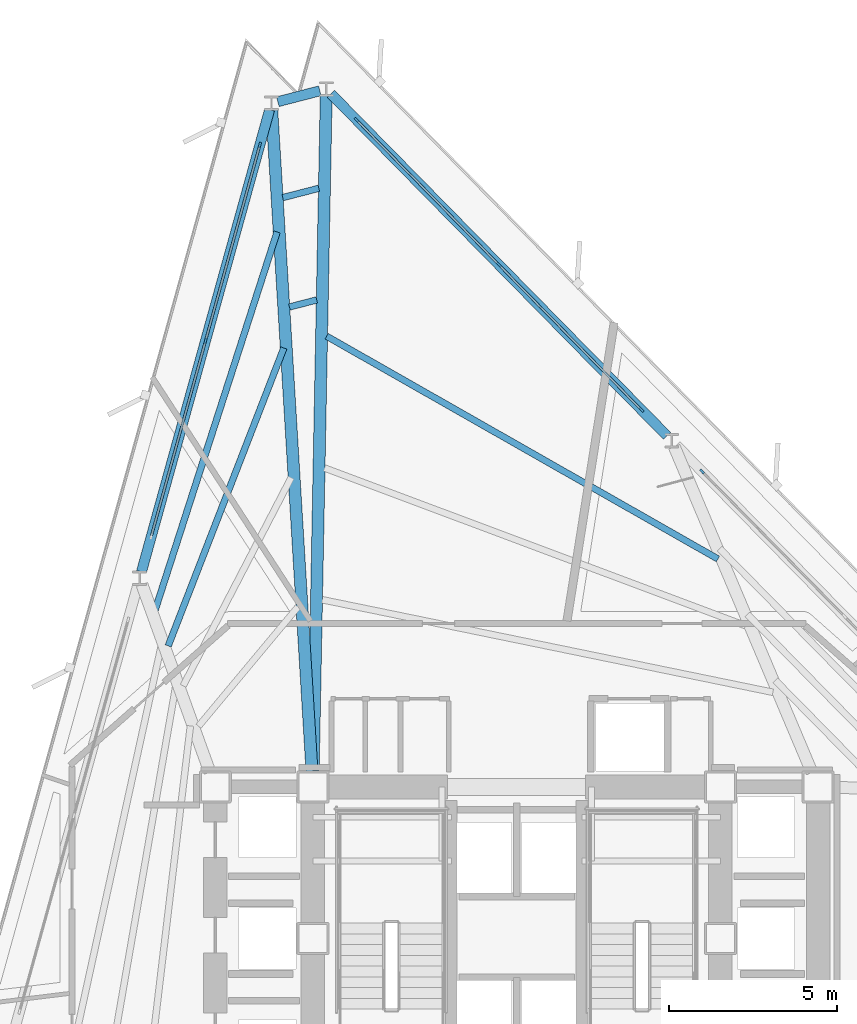
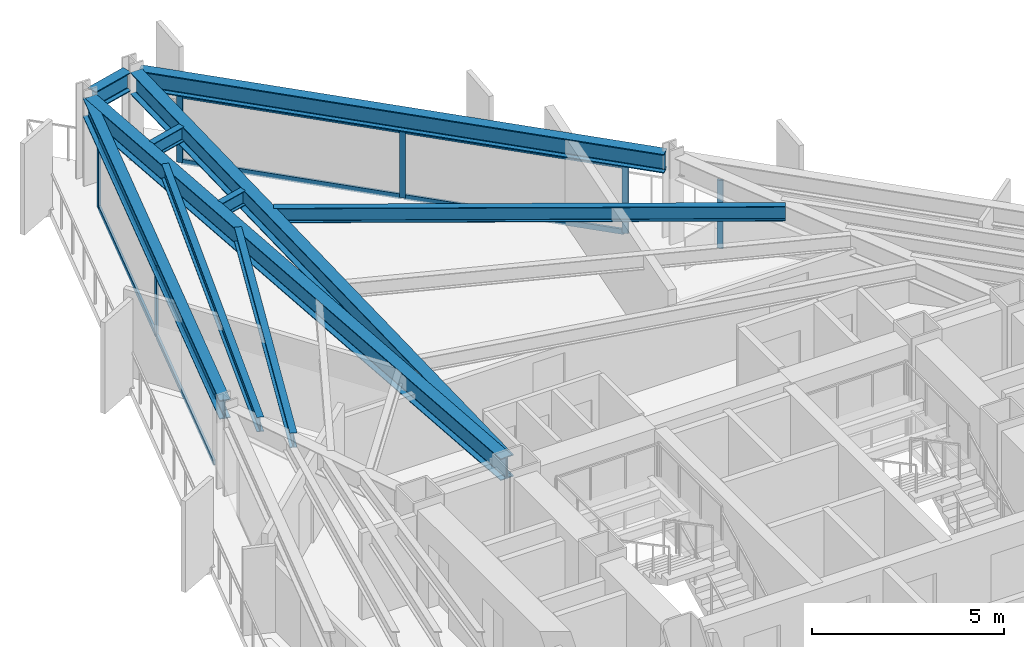
# One storey, part 5 of 11: 14 members, 10 beams, 3 elements without a shape of their own.
"""IFC4 building model written with IfcOpenShell, lengths in metres."""

from ifc_helpers import new_model, si_unit, direction, frame, origin, origin_2d, place, context, subcontext, project, spatial, rectangle, i_section, extrude, material, layer, layer_set, material_profile, profile_set, type_object, element, aggregate, save


model = new_model("IFC4")

# Units and contexts
model_context = context("Model", 3, precision=1e-05, world=origin(), true_north=direction((0.0, 1.0)))
body_context = subcontext(model_context, "Body", "Model", "MODEL_VIEW")
ifc_project = project(units=[si_unit("LENGTHUNIT", "METRE"), si_unit("AREAUNIT", "SQUARE_METRE"), si_unit("VOLUMEUNIT", "CUBIC_METRE"), si_unit("PLANEANGLEUNIT", "RADIAN"), si_unit("MASSUNIT", "GRAM", prefix="KILO")], contexts=[model_context])

# Site, building, storey
site_placement = place(None, origin())
site = spatial("IfcSite", under=ifc_project, at=site_placement, CompositionType="ELEMENT")
building_placement = place(site_placement, origin())
building = spatial("IfcBuilding", under=site, at=building_placement, Name="Rocaltana Carrier Exchange", CompositionType="ELEMENT")
storey_placement = place(building_placement, frame((0.0, 0.0, 91.679931640625)))
storey = spatial("IfcBuildingStorey", under=building, at=storey_placement, Name="L28", CompositionType="ELEMENT", Elevation=91.679931640625)

# Curtain wall, member
ifc_material_1 = material(Name="Aluminium 6063-T6", Category="aluminium")
ifc_layer = layer(ifc_material_1, 0.1650390625)
ifc_layer_set = layer_set([ifc_layer], Name="Aluminium 6063-T6")
curtain_wall_type = type_object("IfcCurtainWallType", Name="Lower-Mid Stepped Curtain Wall CW-02", PredefinedType="NOTDEFINED", material=ifc_layer_set)
curtain_wall_1_placement = place(storey_placement, origin())
curtain_wall_1 = element("IfcCurtainWall", 1, at=curtain_wall_1_placement, inside=storey, type_object=curtain_wall_type, Name="L28 CW-02 Run CW-L28-F1S2", PredefinedType="NOTDEFINED")
ifc_material_2 = material(Name="Aluminium 6063-T6", Category="aluminium")
ifc_material_profile_1 = material_profile(ifc_material_2, rectangle(XDim=0.06494140625, YDim=0.1650390625, at=origin_2d()), Name="AL-65X165")
ifc_profile_set_1 = profile_set([ifc_material_profile_1], Name="Aluminium 6063-T6")
member_type_1 = type_object("IfcMemberType", Name="CW-02 Mullion AL-65X165", PredefinedType="MULLION", material=ifc_profile_set_1)
member_1_placement = place(storey_placement, frame((5.503173828125, 13.8681640625, 0.0), z_axis=(0.0, 0.0, 1.0), x_axis=(-0.713244696676, -0.700915118017, 0.0)))
member_1 = element("IfcMember", 2, at=member_1_placement, type_object=member_type_1, Name="CW-02 mullion 3", PredefinedType="MULLION", context=body_context, shape_type="SweptSolid", body=[
    extrude(rectangle(XDim=0.06494140625, YDim=0.1650390625, at=origin_2d()), origin(), (0.0, 0.0, 1.0), 2.16796875),
])
aggregate(curtain_wall_1, [member_1])

# Curtain wall, members
curtain_wall_2_placement = place(storey_placement, origin())
curtain_wall_2 = element("IfcCurtainWall", 3, at=curtain_wall_2_placement, inside=storey, type_object=curtain_wall_type, Name="L28 CW-02 Run CW-L28-F1S3", PredefinedType="NOTDEFINED")
member_2_placement = place(storey_placement, frame((3.70556640625, 15.69775390625, 0.0), z_axis=(0.0, 0.0, 1.0), x_axis=(-0.713244767898, -0.700915045542, 0.0)))
member_2 = element("IfcMember", 4, at=member_2_placement, type_object=member_type_1, Name="CW-02 mullion 1", PredefinedType="MULLION", context=body_context, shape_type="SweptSolid", body=[
    extrude(rectangle(XDim=0.06494140625, YDim=0.1650390625, at=origin_2d()), origin(), (0.0, 0.0, 1.0), 2.16796875),
])
member_3_placement = place(storey_placement, frame((-0.52392578125, 20.001708984375, 0.0), z_axis=(0.0, 0.0, 1.0), x_axis=(-0.713244767898, -0.700915045542, 0.0)))
member_3 = element("IfcMember", 5, at=member_3_placement, type_object=member_type_1, Name="CW-02 mullion 2", PredefinedType="MULLION", context=body_context, shape_type="SweptSolid", body=[
    extrude(rectangle(XDim=0.06494140625, YDim=0.1650390625, at=origin_2d()), origin(), (0.0, 0.0, 1.0), 2.16796875),
])
member_4_placement = place(storey_placement, frame((-4.75341796875, 24.305419921875, 0.0), z_axis=(0.0, 0.0, 1.0), x_axis=(-0.713244767898, -0.700915045542, 0.0)))
member_4 = element("IfcMember", 6, at=member_4_placement, type_object=member_type_1, Name="CW-02 mullion 3", PredefinedType="MULLION", context=body_context, shape_type="SweptSolid", body=[
    extrude(rectangle(XDim=0.06494140625, YDim=0.1650390625, at=origin_2d()), origin(), (0.0, 0.0, 1.0), 2.16796875),
])

curtain_wall_3_placement = place(storey_placement, origin())
curtain_wall_3 = element("IfcCurtainWall", 7, at=curtain_wall_3_placement, inside=storey, type_object=curtain_wall_type, Name="L28 CW-02 Run CW-L28-F2S1", PredefinedType="NOTDEFINED")
member_5_placement = place(storey_placement, frame((-7.626220703125, 23.5625, 0.0), z_axis=(0.0, 0.0, 1.0), x_axis=(0.96362846453, -0.267245546918, 0.0)))
member_5 = element("IfcMember", 8, at=member_5_placement, type_object=member_type_1, Name="CW-02 mullion 1", PredefinedType="MULLION", context=body_context, shape_type="SweptSolid", body=[
    extrude(rectangle(XDim=0.06494140625, YDim=0.1650390625, at=origin_2d()), origin(), (0.0, 0.0, 1.0), 2.16796875),
])
member_6_placement = place(storey_placement, frame((-9.23876953125, 17.747802734375, 0.0), z_axis=(0.0, 0.0, 1.0), x_axis=(0.96362846453, -0.267245546918, 0.0)))
member_6 = element("IfcMember", 9, at=member_6_placement, type_object=member_type_1, Name="CW-02 mullion 2", PredefinedType="MULLION", context=body_context, shape_type="SweptSolid", body=[
    extrude(rectangle(XDim=0.06494140625, YDim=0.1650390625, at=origin_2d()), origin(), (0.0, 0.0, 1.0), 2.16796875),
])

# Member
ifc_material_3 = material(Name="Aluminium 6063-T6", Category="aluminium")
ifc_material_profile_2 = material_profile(ifc_material_3, rectangle(XDim=0.06494140625, YDim=0.1650390625, at=origin_2d()), Name="AL-65X165")
ifc_profile_set_2 = profile_set([ifc_material_profile_2], Name="Aluminium 6063-T6")
member_type_2 = type_object("IfcMemberType", Name="CW-02 Transom AL-65X165", PredefinedType="USERDEFINED", material=ifc_profile_set_2)
member_7_placement = place(storey_placement, frame((3.682861328125, 15.720947265625, 0.032470703125), z_axis=(-0.700924711343, 0.713235269058, 0.0), x_axis=(-0.713235269058, -0.700924711343, 0.0)))
member_7 = element("IfcMember", 10, at=member_7_placement, type_object=member_type_2, Name="CW-02 transom 1.1", ObjectType="TRANSOM", PredefinedType="USERDEFINED", context=body_context, shape_type="SweptSolid", body=[
    extrude(rectangle(XDim=0.06494140625, YDim=0.1650390625, at=origin_2d()), origin(), (0.0, 0.0, 1.0), 5.969482421875),
])

member_8_placement = place(storey_placement, frame((3.682861328125, 15.720947265625, 2.135498046875), z_axis=(-0.700924711343, 0.713235269058, 0.0), x_axis=(-0.713235269058, -0.700924711343, 0.0)))
member_8 = element("IfcMember", 11, at=member_8_placement, type_object=member_type_2, Name="CW-02 transom 1.2", ObjectType="TRANSOM", PredefinedType="USERDEFINED", context=body_context, shape_type="SweptSolid", body=[
    extrude(rectangle(XDim=0.06494140625, YDim=0.1650390625, at=origin_2d()), origin(), (0.0, 0.0, 1.0), 5.969482421875),
])

member_9_placement = place(storey_placement, frame((-0.546630859375, 20.02490234375, 0.032470703125), z_axis=(-0.700924352217, 0.713235621985, 0.0), x_axis=(-0.713235621985, -0.700924352217, 0.0)))
member_9 = element("IfcMember", 12, at=member_9_placement, type_object=member_type_2, Name="CW-02 transom 2.1", ObjectType="TRANSOM", PredefinedType="USERDEFINED", context=body_context, shape_type="SweptSolid", body=[
    extrude(rectangle(XDim=0.06494140625, YDim=0.1650390625, at=origin_2d()), origin(), (0.0, 0.0, 1.0), 5.968994140625),
])

member_10_placement = place(storey_placement, frame((-0.546630859375, 20.02490234375, 2.135498046875), z_axis=(-0.700924352217, 0.713235621985, 0.0), x_axis=(-0.713235621985, -0.700924352217, 0.0)))
member_10 = element("IfcMember", 13, at=member_10_placement, type_object=member_type_2, Name="CW-02 transom 2.2", ObjectType="TRANSOM", PredefinedType="USERDEFINED", context=body_context, shape_type="SweptSolid", body=[
    extrude(rectangle(XDim=0.06494140625, YDim=0.1650390625, at=origin_2d()), origin(), (0.0, 0.0, 1.0), 5.968994140625),
])

aggregate(curtain_wall_2, [member_2, member_3, member_4, member_7, member_8, member_9, member_10])

member_11_placement = place(storey_placement, frame((-7.634765625, 23.53125, 0.032470703125), z_axis=(-0.267274698809, -0.963620379287, 0.0), x_axis=(0.963620379287, -0.267274698809, 0.0)))
member_11 = element("IfcMember", 14, at=member_11_placement, type_object=member_type_2, Name="CW-02 transom 1.1", ObjectType="TRANSOM", PredefinedType="USERDEFINED", context=body_context, shape_type="SweptSolid", body=[
    extrude(rectangle(XDim=0.06494140625, YDim=0.1650390625, at=origin_2d()), origin(), (0.0, 0.0, 1.0), 5.96923828125),
])

member_12_placement = place(storey_placement, frame((-7.634765625, 23.53125, 2.135498046875), z_axis=(-0.267274698809, -0.963620379287, 0.0), x_axis=(0.963620379287, -0.267274698809, 0.0)))
member_12 = element("IfcMember", 15, at=member_12_placement, type_object=member_type_2, Name="CW-02 transom 1.2", ObjectType="TRANSOM", PredefinedType="USERDEFINED", context=body_context, shape_type="SweptSolid", body=[
    extrude(rectangle(XDim=0.06494140625, YDim=0.1650390625, at=origin_2d()), origin(), (0.0, 0.0, 1.0), 5.96923828125),
])

member_13_placement = place(storey_placement, frame((-9.24755859375, 17.716552734375, 0.032470703125), z_axis=(-0.267236720875, -0.963630912235, 0.0), x_axis=(0.963630912235, -0.267236720875, 0.0)))
member_13 = element("IfcMember", 16, at=member_13_placement, type_object=member_type_2, Name="CW-02 transom 2.1", ObjectType="TRANSOM", PredefinedType="USERDEFINED", context=body_context, shape_type="SweptSolid", body=[
    extrude(rectangle(XDim=0.06494140625, YDim=0.1650390625, at=origin_2d()), origin(), (0.0, 0.0, 1.0), 5.96923828125),
])

member_14_placement = place(storey_placement, frame((-9.24755859375, 17.716552734375, 2.135498046875), z_axis=(-0.267236720875, -0.963630912235, 0.0), x_axis=(0.963630912235, -0.267236720875, 0.0)))
member_14 = element("IfcMember", 17, at=member_14_placement, type_object=member_type_2, Name="CW-02 transom 2.2", ObjectType="TRANSOM", PredefinedType="USERDEFINED", context=body_context, shape_type="SweptSolid", body=[
    extrude(rectangle(XDim=0.06494140625, YDim=0.1650390625, at=origin_2d()), origin(), (0.0, 0.0, 1.0), 5.96923828125),
])

aggregate(curtain_wall_3, [member_5, member_6, member_11, member_12, member_13, member_14])

# Beams
ifc_material_4 = material(Name="Steel S355", Category="steel")
ifc_material_profile_3 = material_profile(ifc_material_4, i_section(OverallWidth=0.193115234375, OverallDepth=0.466064453125, WebThickness=0.011474609375, FlangeThickness=0.01904296875, FilletRadius=0.013916015625, at=origin_2d()), Name="W18X65")
ifc_profile_set_3 = profile_set([ifc_material_profile_3], Name="Steel S355")
beam_type_1 = type_object("IfcBeamType", Name="Floor Joist W18X65", PredefinedType="JOIST", material=ifc_profile_set_3)
beam_1_placement = place(storey_placement, frame((5.976318359375, 11.268798828125, 2.55517578125), z_axis=(-0.869038762024, 0.494744004613, 0.0), x_axis=(-0.494744004613, -0.869038762024, 0.0)))
element("IfcBeam", 18, at=beam_1_placement, inside=storey, type_object=beam_type_1, Name="FJ-L28-03-3", PredefinedType="JOIST", context=body_context, shape_type="SweptSolid", body=[
    extrude(i_section(OverallWidth=0.193115234375, OverallDepth=0.466064453125, WebThickness=0.011474609375, FlangeThickness=0.01904296875, FilletRadius=0.013916015625, at=origin_2d()), origin(), (0.0, 0.0, 1.0), 13.36962890625),
])
beam_2_placement = place(storey_placement, frame((-5.9375, 18.961181640625, 2.55517578125), z_axis=(-0.968135931974, -0.250425272727, 0.0), x_axis=(0.250425272727, -0.968135931974, 0.0)))
element("IfcBeam", 19, at=beam_2_placement, inside=storey, type_object=beam_type_1, Name="FJ-L28-04-3", PredefinedType="JOIST", context=body_context, shape_type="SweptSolid", body=[
    extrude(i_section(OverallWidth=0.193115234375, OverallDepth=0.466064453125, WebThickness=0.011474609375, FlangeThickness=0.01904296875, FilletRadius=0.013916015625, at=origin_2d()), origin(), (0.0, 0.0, 1.0), 0.83642578125),
])
beam_3_placement = place(storey_placement, frame((-5.873779296875, 22.2763671875, 2.55517578125), z_axis=(-0.968177342662, -0.25026512573, 0.0), x_axis=(0.25026512573, -0.968177342662, 0.0)))
element("IfcBeam", 20, at=beam_3_placement, inside=storey, type_object=beam_type_1, Name="FJ-L28-04-4", PredefinedType="JOIST", context=body_context, shape_type="SweptSolid", body=[
    extrude(i_section(OverallWidth=0.193115234375, OverallDepth=0.466064453125, WebThickness=0.011474609375, FlangeThickness=0.01904296875, FilletRadius=0.013916015625, at=origin_2d()), origin(), (0.0, 0.0, 1.0), 1.106201171875),
])
beam_4_placement = place(storey_placement, frame((-6.913818359375, 17.533935546875, 2.55517578125), z_axis=(-0.361784373261, -0.93226180189, 0.0), x_axis=(0.93226180189, -0.361784373261, 0.0)))
element("IfcBeam", 21, at=beam_4_placement, inside=storey, type_object=beam_type_1, Name="FJ-L28-05-3", PredefinedType="JOIST", context=body_context, shape_type="SweptSolid", body=[
    extrude(i_section(OverallWidth=0.193115234375, OverallDepth=0.466064453125, WebThickness=0.011474609375, FlangeThickness=0.01904296875, FilletRadius=0.013916015625, at=origin_2d()), origin(), (0.0, 0.0, 1.0), 9.48876953125),
])
beam_5_placement = place(storey_placement, frame((-7.114013671875, 20.9814453125, 2.55517578125), z_axis=(-0.306913359242, -0.951737458504, 0.0), x_axis=(0.951737458504, -0.306913359242, 0.0)))
element("IfcBeam", 22, at=beam_5_placement, inside=storey, type_object=beam_type_1, Name="FJ-L28-05-4", PredefinedType="JOIST", context=body_context, shape_type="SweptSolid", body=[
    extrude(i_section(OverallWidth=0.193115234375, OverallDepth=0.466064453125, WebThickness=0.011474609375, FlangeThickness=0.01904296875, FilletRadius=0.013916015625, at=origin_2d()), origin(), (0.0, 0.0, 1.0), 11.806396484375),
])
ifc_material_5 = material(Name="Steel S355", Category="steel")
ifc_material_profile_4 = material_profile(ifc_material_5, i_section(OverallWidth=0.35498046875, OverallDepth=0.695068359375, WebThickness=0.015380859375, FlangeThickness=0.02490234375, FilletRadius=0.01806640625, at=origin_2d()), Name="W27X146")
ifc_profile_set_4 = profile_set([ifc_material_profile_4], Name="Steel S355")
beam_type_2 = type_object("IfcBeamType", Name="Radial Girder W27X146", PredefinedType="BEAM", material=ifc_profile_set_4)
beam_6_placement = place(storey_placement, frame((-6.041015625, 4.966796875, 2.440673828125), z_axis=(0.019193756189, 0.999815782894, 0.0), x_axis=(-0.999815782894, 0.019193756189, 0.0)))
element("IfcBeam", 23, at=beam_6_placement, inside=storey, type_object=beam_type_2, Name="RG-L28-04", PredefinedType="BEAM", context=body_context, shape_type="SweptSolid", body=[
    extrude(i_section(OverallWidth=0.35498046875, OverallDepth=0.695068359375, WebThickness=0.015380859375, FlangeThickness=0.02490234375, FilletRadius=0.01806640625, at=origin_2d()), origin(), (0.0, 0.0, 1.0), 20.05908203125),
])
beam_7_placement = place(storey_placement, frame((-6.078369140625, 4.966064453125, 2.440673828125), z_axis=(-0.060654317938, 0.998158831908, 0.0), x_axis=(-0.998158831908, -0.060654317938, 0.0)))
element("IfcBeam", 24, at=beam_7_placement, inside=storey, type_object=beam_type_2, Name="RG-L28-05", PredefinedType="BEAM", context=body_context, shape_type="SweptSolid", body=[
    extrude(i_section(OverallWidth=0.35498046875, OverallDepth=0.695068359375, WebThickness=0.015380859375, FlangeThickness=0.02490234375, FilletRadius=0.01806640625, at=origin_2d()), origin(), (0.0, 0.0, 1.0), 19.670654296875),
])
ifc_material_6 = material(Name="Steel S355", Category="steel")
ifc_material_profile_5 = material_profile(ifc_material_6, i_section(OverallWidth=0.300048828125, OverallDepth=0.60009765625, WebThickness=0.015380859375, FlangeThickness=0.030029296875, FilletRadius=0.027099609375, at=origin_2d()), Name="HEB600")
ifc_profile_set_5 = profile_set([ifc_material_profile_5], Name="Steel S355")
beam_type_3 = type_object("IfcBeamType", Name="Spandrel Edge Beam HEB600", PredefinedType="SPANDREL", material=ifc_profile_set_5)
beam_8_placement = place(storey_placement, frame((4.465576171875, 14.92431640625, 2.488037109375), z_axis=(-0.700906560302, 0.713253106356, 0.0), x_axis=(-0.713253106356, -0.700906560302, 0.0)))
element("IfcBeam", 25, at=beam_8_placement, inside=storey, type_object=beam_type_3, Name="SP-L28-03", PredefinedType="SPANDREL", context=body_context, shape_type="SweptSolid", body=[
    extrude(i_section(OverallWidth=0.300048828125, OverallDepth=0.60009765625, WebThickness=0.015380859375, FlangeThickness=0.030029296875, FilletRadius=0.027099609375, at=origin_2d()), origin(), (0.0, 0.0, 1.0), 14.2373046875),
])
beam_9_placement = place(storey_placement, frame((-5.843994140625, 25.170654296875, 2.488037109375), z_axis=(-0.968138202554, -0.250416494576, 0.0), x_axis=(0.250416494576, -0.968138202554, 0.0)))
element("IfcBeam", 26, at=beam_9_placement, inside=storey, type_object=beam_type_3, Name="SP-L28-04", PredefinedType="SPANDREL", context=body_context, shape_type="SweptSolid", body=[
    extrude(i_section(OverallWidth=0.300048828125, OverallDepth=0.60009765625, WebThickness=0.015380859375, FlangeThickness=0.030029296875, FilletRadius=0.027099609375, at=origin_2d()), origin(), (0.0, 0.0, 1.0), 1.288818359375),
])
beam_10_placement = place(storey_placement, frame((-7.33642578125, 24.607421875, 2.488037109375), z_axis=(-0.267234351395, -0.963631569343, 0.0), x_axis=(0.963631569343, -0.267234351395, 0.0)))
element("IfcBeam", 27, at=beam_10_placement, inside=storey, type_object=beam_type_3, Name="SP-L28-05", PredefinedType="SPANDREL", context=body_context, shape_type="SweptSolid", body=[
    extrude(i_section(OverallWidth=0.300048828125, OverallDepth=0.60009765625, WebThickness=0.015380859375, FlangeThickness=0.030029296875, FilletRadius=0.027099609375, at=origin_2d()), origin(), (0.0, 0.0, 1.0), 14.2373046875),
])

save(model, "model.ifc")
